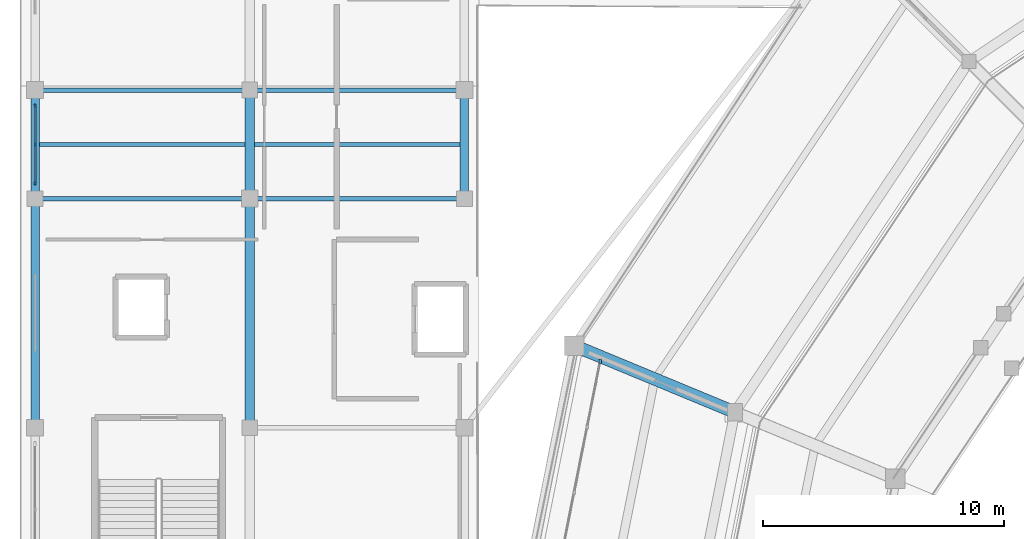
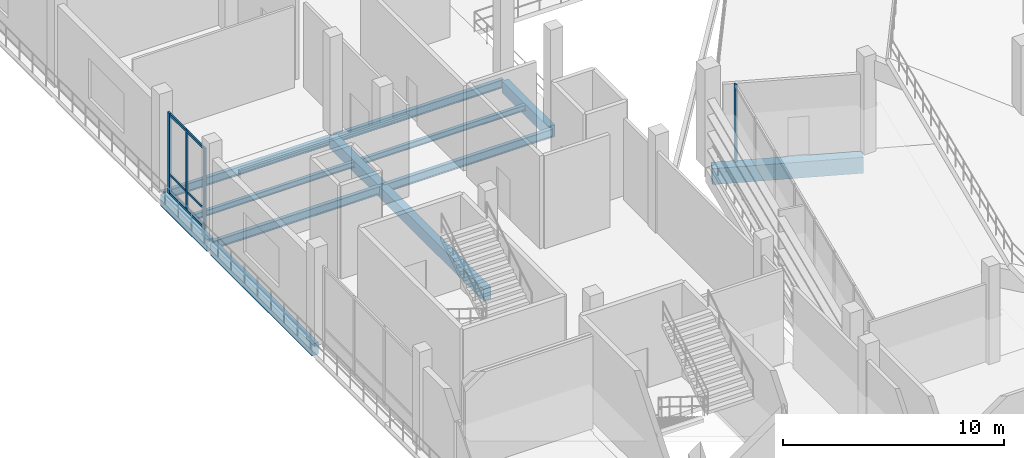
# One storey, part 31 of 127: 12 beams, 7 members, 2 elements without a shape of their own.
"""IFC4 building model written with IfcOpenShell, lengths in metres."""

from ifc_helpers import new_model, si_unit, direction, frame, origin, origin_2d, place, context, subcontext, project, spatial, rectangle, i_section, extrude, material, material_profile, profile_set, type_object, element, aggregate, save


model = new_model("IFC4")

# Units and contexts
model_context = context("Model", 3, precision=1e-05, world=origin(), true_north=direction((0.0, 1.0)))
body_context = subcontext(model_context, "Body", "Model", "MODEL_VIEW")
ifc_project = project(units=[si_unit("LENGTHUNIT", "METRE"), si_unit("AREAUNIT", "SQUARE_METRE"), si_unit("VOLUMEUNIT", "CUBIC_METRE"), si_unit("PLANEANGLEUNIT", "RADIAN"), si_unit("MASSUNIT", "GRAM", prefix="KILO")], contexts=[model_context])

# Site, building, storey
site_placement = place(None, origin())
site = spatial("IfcSite", under=ifc_project, at=site_placement, CompositionType="ELEMENT")
building_placement = place(site_placement, origin())
building = spatial("IfcBuilding", under=site, at=building_placement, Name="Candeia Ridge Stadium", CompositionType="ELEMENT")
storey_placement = place(building_placement, frame((0.0, 0.0, 10.800048828125)))
storey = spatial("IfcBuildingStorey", under=building, at=storey_placement, Name="L02", CompositionType="ELEMENT", Elevation=10.800048828125)

# Curtain wall, member
ifc_material_1 = material(Name="Aluminium Anodized Warm Bronze", Category="aluminium")
curtain_wall_type_1 = type_object("IfcCurtainWallType", Name="Concourse Recessed Unitised Curtain Wall", PredefinedType="NOTDEFINED", material=ifc_material_1)
curtain_wall_1_placement = place(storey_placement, origin())
curtain_wall_1 = element("IfcCurtainWall", 1, at=curtain_wall_1_placement, inside=storey, type_object=curtain_wall_type_1, Name="Unitised curtain wall CW-BWL-L02-10", PredefinedType="NOTDEFINED")
ifc_material_profile_1 = material_profile(ifc_material_1, rectangle(XDim=0.090087890625, YDim=0.179931640625, at=origin_2d()), Name="CWM-90x180", Category="aluminium")
ifc_profile_set_1 = profile_set([ifc_material_profile_1], Name="Aluminium Anodized Warm Bronze")
member_type_1 = type_object("IfcMemberType", Name="Curtain Wall Primary Mullion 90x180", PredefinedType="MULLION", material=ifc_profile_set_1)
member_1_placement = place(storey_placement, frame((24.03173828125, 114.263916015625, 0.0), z_axis=(0.0, 0.0, 1.0), x_axis=(1.0, 0.0, 0.0)))
member_1 = element("IfcMember", 2, at=member_1_placement, type_object=member_type_1, Name="Curtain wall mullion CW-BWL-L02-10-M0", PredefinedType="MULLION", context=body_context, shape_type="SweptSolid", body=[
    extrude(rectangle(XDim=0.090087890625, YDim=0.179931640625, at=origin_2d()), origin(), (0.0, 0.0, 1.0), 4.2548828125),
])
aggregate(curtain_wall_1, [member_1])

# Curtain wall, members
curtain_wall_type_2 = type_object("IfcCurtainWallType", Name="Cardinal Entrance Gate Tall Glazed Curtain Wall", PredefinedType="NOTDEFINED", material=ifc_material_1)
curtain_wall_2_placement = place(storey_placement, origin())
curtain_wall_2 = element("IfcCurtainWall", 3, at=curtain_wall_2_placement, inside=storey, type_object=curtain_wall_type_2, Name="Unitised curtain wall CW-WNG-L02-086", PredefinedType="NOTDEFINED")
member_2_placement = place(storey_placement, frame((0.60009765625, 121.659912109375, 0.0), z_axis=(0.0, 0.0, 1.0), x_axis=(1.0, 0.0, 0.0)))
member_2 = element("IfcMember", 4, at=member_2_placement, type_object=member_type_1, Name="Curtain wall mullion CW-WNG-L02-086-M0", PredefinedType="MULLION", context=body_context, shape_type="SweptSolid", body=[
    extrude(rectangle(XDim=0.090087890625, YDim=0.179931640625, at=origin_2d()), origin(), (0.0, 0.0, 1.0), 4.48486328125),
])
member_3_placement = place(storey_placement, frame((0.60009765625, 124.840087890625, 0.0), z_axis=(0.0, 0.0, 1.0), x_axis=(1.0, 0.0, 0.0)))
member_3 = element("IfcMember", 5, at=member_3_placement, type_object=member_type_1, Name="Curtain wall mullion CW-WNG-L02-086-M2", PredefinedType="MULLION", context=body_context, shape_type="SweptSolid", body=[
    extrude(rectangle(XDim=0.090087890625, YDim=0.179931640625, at=origin_2d()), origin(), (0.0, 0.0, 1.0), 4.48486328125),
])
ifc_material_profile_2 = material_profile(ifc_material_1, rectangle(XDim=0.074951171875, YDim=0.14990234375, at=origin_2d()), Name="CWM-75x150", Category="aluminium")
ifc_profile_set_2 = profile_set([ifc_material_profile_2], Name="Aluminium Anodized Warm Bronze")
member_type_2 = type_object("IfcMemberType", Name="Curtain Wall Secondary Mullion 75x150", PredefinedType="MULLION", material=ifc_profile_set_2)
member_4_placement = place(storey_placement, frame((0.60009765625, 123.25, 0.0), z_axis=(0.0, 0.0, 1.0), x_axis=(1.0, 0.0, 0.0)))
member_4 = element("IfcMember", 6, at=member_4_placement, type_object=member_type_2, Name="Curtain wall mullion CW-WNG-L02-086-M1", PredefinedType="MULLION", context=body_context, shape_type="SweptSolid", body=[
    extrude(rectangle(XDim=0.074951171875, YDim=0.14990234375, at=origin_2d()), origin(), (0.0, 0.0, 1.0), 4.48486328125),
])
ifc_material_profile_3 = material_profile(ifc_material_1, rectangle(XDim=0.074951171875, YDim=0.110107421875, at=origin_2d()), Name="CWT-75x110", Category="aluminium")
ifc_profile_set_3 = profile_set([ifc_material_profile_3], Name="Aluminium Anodized Warm Bronze")
member_type_3 = type_object("IfcMemberType", Name="Curtain Wall Secondary Transom 75x110", PredefinedType="USERDEFINED", material=ifc_profile_set_3)
member_5_placement = place(storey_placement, frame((0.60009765625, 121.659912109375, 1.099853515625), z_axis=(0.0, 1.0, 0.0), x_axis=(-1.0, 0.0, 0.0)))
member_5 = element("IfcMember", 7, at=member_5_placement, type_object=member_type_3, Name="Curtain wall transom CW-WNG-L02-086-T1", ObjectType="TRANSOM", PredefinedType="USERDEFINED", context=body_context, shape_type="SweptSolid", body=[
    extrude(rectangle(XDim=0.074951171875, YDim=0.110107421875, at=origin_2d()), origin(), (0.0, 0.0, 1.0), 3.18017578125),
])
ifc_material_profile_4 = material_profile(ifc_material_1, rectangle(XDim=0.090087890625, YDim=0.139892578125, at=origin_2d()), Name="CWT-90x140", Category="aluminium")
ifc_profile_set_4 = profile_set([ifc_material_profile_4], Name="Aluminium Anodized Warm Bronze")
member_type_4 = type_object("IfcMemberType", Name="Curtain Wall Transom 90x140", PredefinedType="USERDEFINED", material=ifc_profile_set_4)
member_6_placement = place(storey_placement, frame((0.60009765625, 121.659912109375, 0.070068359375), z_axis=(0.0, 1.0, 0.0), x_axis=(-1.0, 0.0, 0.0)))
member_6 = element("IfcMember", 8, at=member_6_placement, type_object=member_type_4, Name="Curtain wall transom CW-WNG-L02-086-T0", ObjectType="TRANSOM", PredefinedType="USERDEFINED", context=body_context, shape_type="SweptSolid", body=[
    extrude(rectangle(XDim=0.090087890625, YDim=0.139892578125, at=origin_2d()), origin(), (0.0, 0.0, 1.0), 3.18017578125),
])
member_7_placement = place(storey_placement, frame((0.60009765625, 121.659912109375, 4.4150390625), z_axis=(0.0, 1.0, 0.0), x_axis=(-1.0, 0.0, 0.0)))
member_7 = element("IfcMember", 9, at=member_7_placement, type_object=member_type_4, Name="Curtain wall transom CW-WNG-L02-086-T2", ObjectType="TRANSOM", PredefinedType="USERDEFINED", context=body_context, shape_type="SweptSolid", body=[
    extrude(rectangle(XDim=0.090087890625, YDim=0.139892578125, at=origin_2d()), origin(), (0.0, 0.0, 1.0), 3.18017578125),
])
aggregate(curtain_wall_2, [member_2, member_4, member_3, member_6, member_5, member_7])

# Beams
ifc_material_2 = material(Name="Concrete C45/55", Category="concrete")
ifc_material_profile_5 = material_profile(ifc_material_2, rectangle(XDim=0.52001953125, YDim=0.8798828125, at=origin_2d()), Name="RC520x880", Category="concrete")
ifc_profile_set_5 = profile_set([ifc_material_profile_5], Name="Concrete C45/55")
beam_type_1 = type_object("IfcBeamType", Name="Frame Girder RC520x880", PredefinedType="BEAM", material=ifc_profile_set_5)
beam_1_placement = place(storey_placement, frame((29.46240234375, 112.20556640625, -0.699951171875), z_axis=(-0.923880161031, 0.382681914982, 0.0), x_axis=(-0.382681914982, -0.923880161031, 0.0)))
element("IfcBeam", 10, at=beam_1_placement, inside=storey, type_object=beam_type_1, Name="Bowl radial girder BM-L02-0262", PredefinedType="BEAM", context=body_context, shape_type="SweptSolid", body=[
    extrude(rectangle(XDim=0.52001953125, YDim=0.8798828125, at=origin_2d()), origin(), (0.0, 0.0, 1.0), 6.8798828125),
])
ifc_material_3 = material(Name="Steel ASTM A572 Grade 50", Category="steel")
ifc_material_profile_6 = material_profile(ifc_material_3, i_section(OverallWidth=0.1669921875, OverallDepth=0.31689453125, WebThickness=0.007568359375, FlangeThickness=0.01318359375, FilletRadius=0.011962890625, at=origin_2d()), Name="W310x52", Category="steel")
ifc_profile_set_6 = profile_set([ifc_material_profile_6], Name="Steel ASTM A572 Grade 50")
beam_type_2 = type_object("IfcBeamType", Name="Pavilion Secondary Joist W310x52", PredefinedType="JOIST", material=ifc_profile_set_6)
for number, where, z_axis, x_axis, name in (
    (11, (0.7744140625, 123.25, -0.41845703125), (1.0, 0.0, 0.0), (0.0, 1.0, 0.0), "Wing secondary joist BM-L02-1163"),
    (12, (9.699462890625, 123.25, -0.41845703125), (1.0, 0.0, 0.0), (0.0, 1.0, 0.0), "Wing secondary joist BM-L02-1187"),
):
    element("IfcBeam", number, at=place(storey_placement, frame(where, z_axis=z_axis, x_axis=x_axis)), inside=storey, type_object=beam_type_2, Name=name, PredefinedType="JOIST", context=body_context, shape_type="SweptSolid", body=[
        extrude(i_section(OverallWidth=0.1669921875, OverallDepth=0.31689453125, WebThickness=0.007568359375, FlangeThickness=0.01318359375, FilletRadius=0.011962890625, at=origin_2d()), origin(), (0.0, 0.0, 1.0), 8.526123046875),
    ])
ifc_material_profile_7 = material_profile(ifc_material_3, i_section(OverallWidth=0.18994140625, OverallDepth=0.45703125, WebThickness=0.009033203125, FlangeThickness=0.014404296875, FilletRadius=0.012939453125, at=origin_2d()), Name="W460x74", Category="steel")
ifc_profile_set_7 = profile_set([ifc_material_profile_7], Name="Steel ASTM A572 Grade 50")
beam_type_3 = type_object("IfcBeamType", Name="Pavilion Steel Girder W460x74", PredefinedType="BEAM", material=ifc_profile_set_7)
for number, where, z_axis, x_axis, name in (
    (13, (0.64990234375, 121.0, -0.488525390625), (1.0, 0.0, 0.0), (0.0, 1.0, 0.0), "Structural girder BM-L02-1162"),
    (14, (0.64990234375, 125.5, -0.488525390625), (1.0, 0.0, 0.0), (0.0, 1.0, 0.0), "Structural girder BM-L02-1164"),
    (15, (9.550048828125, 121.0, -0.488525390625), (1.0, 0.0, 0.0), (0.0, 1.0, 0.0), "Structural girder BM-L02-1186"),
    (16, (9.550048828125, 125.5, -0.488525390625), (1.0, 0.0, 0.0), (0.0, 1.0, 0.0), "Structural girder BM-L02-1188"),
):
    element("IfcBeam", number, at=place(storey_placement, frame(where, z_axis=z_axis, x_axis=x_axis)), inside=storey, type_object=beam_type_3, Name=name, PredefinedType="BEAM", context=body_context, shape_type="SweptSolid", body=[
        extrude(i_section(OverallWidth=0.18994140625, OverallDepth=0.45703125, WebThickness=0.009033203125, FlangeThickness=0.014404296875, FilletRadius=0.012939453125, at=origin_2d()), origin(), (0.0, 0.0, 1.0), 8.800048828125),
    ])
ifc_material_4 = material(Name="Concrete C40/50", Category="concrete")
ifc_material_profile_8 = material_profile(ifc_material_4, rectangle(XDim=0.35009765625, YDim=0.64990234375, at=origin_2d()), Name="RC350x650", Category="concrete")
ifc_profile_set_8 = profile_set([ifc_material_profile_8], Name="Concrete C40/50")
beam_type_4 = type_object("IfcBeamType", Name="Spandrel Beam RC350x650", PredefinedType="SPANDREL", material=ifc_profile_set_8)
beam_2_placement = place(storey_placement, frame((0.60009765625, 111.659912109375, -0.5849609375), z_axis=(0.0, 1.0, 0.0), x_axis=(-1.0, 0.0, 0.0)))
element("IfcBeam", 17, at=beam_2_placement, inside=storey, type_object=beam_type_4, Name="Structural girder BM-L02-1123", PredefinedType="SPANDREL", context=body_context, shape_type="SweptSolid", body=[
    extrude(rectangle(XDim=0.35009765625, YDim=0.64990234375, at=origin_2d()), origin(), (0.0, 0.0, 1.0), 9.18017578125),
])
for number, where, z_axis, x_axis, name in (
    (18, (0.60009765625, 121.159912109375, -0.5849609375), (0.0, 1.0, 0.0), (-1.0, 0.0, 0.0), "Structural girder BM-L02-1124"),
    (19, (18.39990234375, 121.159912109375, -0.5849609375), (0.0, 1.0, 0.0), (-1.0, 0.0, 0.0), "Structural girder BM-L02-1148"),
):
    element("IfcBeam", number, at=place(storey_placement, frame(where, z_axis=z_axis, x_axis=x_axis)), inside=storey, type_object=beam_type_4, Name=name, PredefinedType="SPANDREL", context=body_context, shape_type="SweptSolid", body=[
        extrude(rectangle(XDim=0.35009765625, YDim=0.64990234375, at=origin_2d()), origin(), (0.0, 0.0, 1.0), 4.18017578125),
    ])
ifc_material_profile_9 = material_profile(ifc_material_4, rectangle(XDim=0.39990234375, YDim=0.64990234375, at=origin_2d()), Name="RC400x650", Category="concrete")
ifc_profile_set_9 = profile_set([ifc_material_profile_9], Name="Concrete C40/50")
beam_type_5 = type_object("IfcBeamType", Name="Wing Primary Girder RC400x650", PredefinedType="BEAM", material=ifc_profile_set_9)
beam_3_placement = place(storey_placement, frame((9.5, 111.550048828125, -0.5849609375), z_axis=(0.0, 1.0, 0.0), x_axis=(-1.0, 0.0, 0.0)))
element("IfcBeam", 20, at=beam_3_placement, inside=storey, type_object=beam_type_5, Name="Structural girder BM-L02-1135", PredefinedType="BEAM", context=body_context, shape_type="SweptSolid", body=[
    extrude(rectangle(XDim=0.39990234375, YDim=0.64990234375, at=origin_2d()), origin(), (0.0, 0.0, 1.0), 9.39990234375),
])
beam_4_placement = place(storey_placement, frame((9.5, 121.050048828125, -0.5849609375), z_axis=(0.0, 1.0, 0.0), x_axis=(-1.0, 0.0, 0.0)))
element("IfcBeam", 21, at=beam_4_placement, inside=storey, type_object=beam_type_5, Name="Structural girder BM-L02-1136", PredefinedType="BEAM", context=body_context, shape_type="SweptSolid", body=[
    extrude(rectangle(XDim=0.39990234375, YDim=0.64990234375, at=origin_2d()), origin(), (0.0, 0.0, 1.0), 4.39990234375),
])

save(model, "model.ifc")
